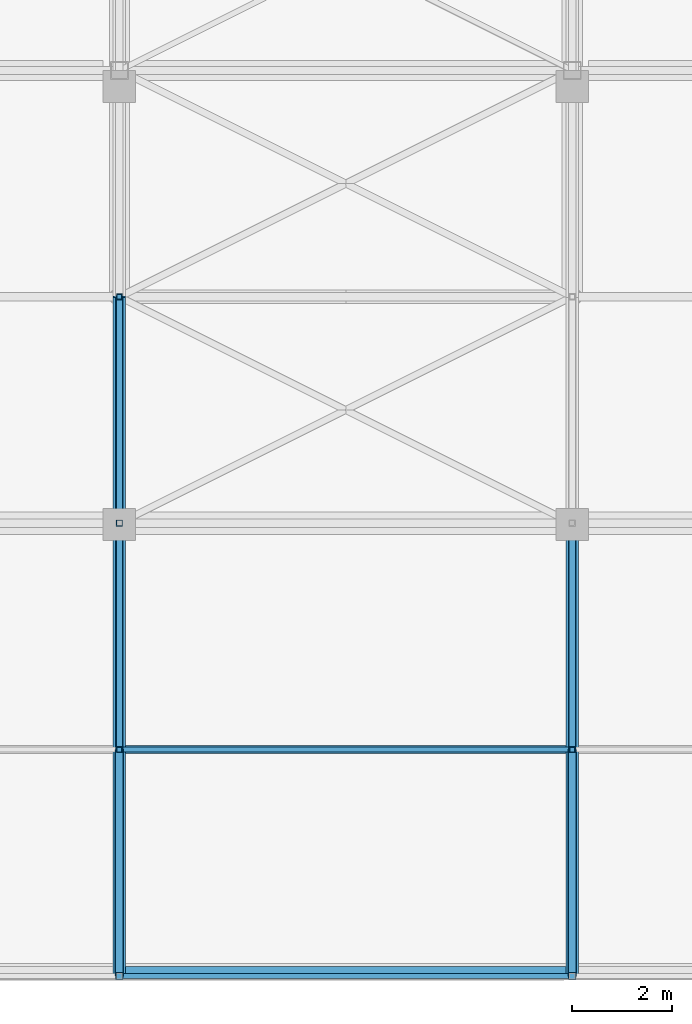
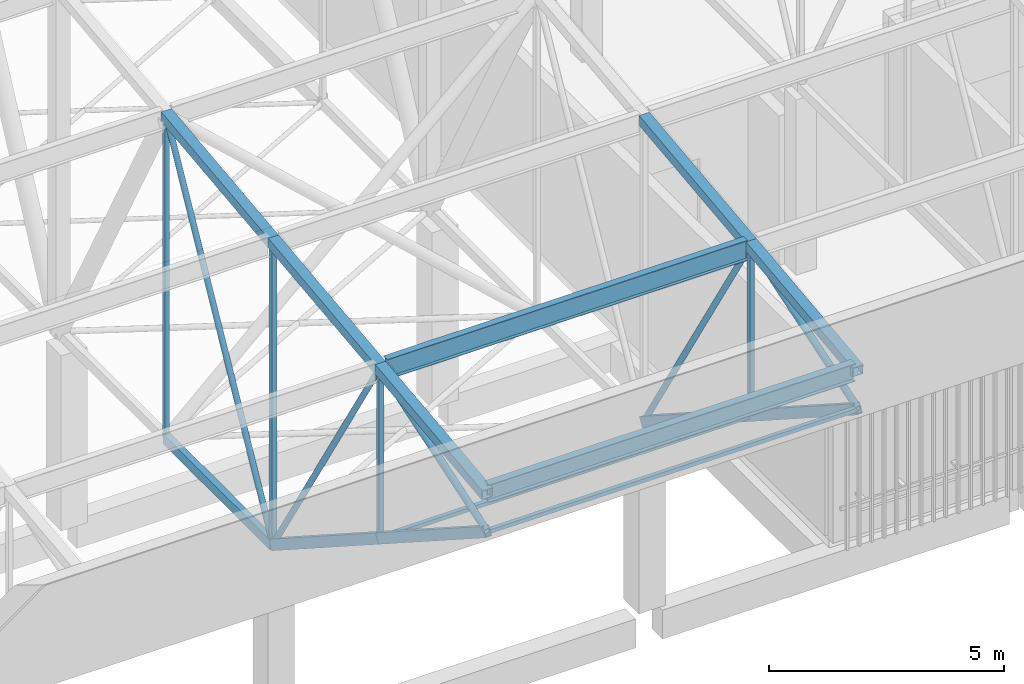
# One storey, part 110 of 500: 23 members.
"""IFC4 building model written with IfcOpenShell, lengths in metres."""

from ifc_helpers import new_model, si_unit, direction, frame, origin, origin_2d, place, context, subcontext, project, spatial, hollow_rectangle, hollow_circle, i_section, extrude, material, material_profile, profile_set, type_object, element, save


model = new_model("IFC4")

# Units and contexts
model_context = context("Model", 3, precision=1e-05, world=origin(), true_north=direction((0.0, 1.0)))
body_context = subcontext(model_context, "Body", "Model", "MODEL_VIEW")
ifc_project = project(units=[si_unit("LENGTHUNIT", "METRE"), si_unit("AREAUNIT", "SQUARE_METRE"), si_unit("VOLUMEUNIT", "CUBIC_METRE"), si_unit("PLANEANGLEUNIT", "RADIAN"), si_unit("MASSUNIT", "GRAM", prefix="KILO")], contexts=[model_context])

# Site, building, storey
site_placement = place(None, origin())
site = spatial("IfcSite", under=ifc_project, at=site_placement, CompositionType="ELEMENT")
building_placement = place(site_placement, origin())
building = spatial("IfcBuilding", under=site, at=building_placement, Name="Shirokan Park Arena", CompositionType="ELEMENT")
storey_placement = place(building_placement, frame((0.0, 0.0, 29.1201171875)))
storey = spatial("IfcBuildingStorey", under=building, at=storey_placement, Name="L06", CompositionType="ELEMENT", Elevation=29.1201171875)

# Members
ifc_material_1 = material(Name="Steel ASTM A500 Grade C", Category="steel")
ifc_material_profile_1 = material_profile(ifc_material_1, hollow_rectangle(XDim=0.152099609375, YDim=0.25390625, WallThickness=0.009521484375, at=origin_2d()), Name="HSS254X152.4X9.5")
ifc_profile_set_1 = profile_set([ifc_material_profile_1], Name="Steel ASTM A500 Grade C")
member_type_1 = type_object("IfcMemberType", Name="Bottom chord HSS254X152.4X9.5", PredefinedType="CHORD", material=ifc_profile_set_1)
for number, where, z_axis, x_axis, name in (
    (1, (91.0, -9.10009765625, 10.531982421875), (0.0, 0.840971691661, -0.541079119746), (-1.0, 0.0, 0.0), "Truss T11 bottom chord 1"),
    (2, (91.0, -4.550048828125, 7.6044921875), (0.0, 0.840971691661, -0.541079119746), (-1.0, 0.0, 0.0), "Truss T11 bottom chord 2"),
):
    element("IfcMember", number, at=place(storey_placement, frame(where, z_axis=z_axis, x_axis=x_axis)), inside=storey, type_object=member_type_1, Name=name, PredefinedType="CHORD", context=body_context, shape_type="SweptSolid", body=[
        extrude(hollow_rectangle(XDim=0.152099609375, YDim=0.25390625, WallThickness=0.009521484375, at=origin_2d()), origin(), (0.0, 0.0, 1.0), 5.410400390625),
    ])
member_1_placement = place(storey_placement, frame((91.0, 0.0, 4.677001953125), z_axis=(0.0, 1.0, 0.0), x_axis=(-1.0, 0.0, 0.0)))
element("IfcMember", 3, at=member_1_placement, inside=storey, type_object=member_type_1, Name="Truss T11 bottom chord 3", PredefinedType="CHORD", context=body_context, shape_type="SweptSolid", body=[
    extrude(hollow_rectangle(XDim=0.152099609375, YDim=0.25390625, WallThickness=0.009521484375, at=origin_2d()), origin(), (0.0, 0.0, 1.0), 4.550048828125),
])
for number, where, z_axis, x_axis, name in (
    (4, (100.10009765625, -9.10009765625, 10.531982421875), (0.0, 0.840971691661, -0.541079119746), (-1.0, 0.0, 0.0), "Truss T12 bottom chord 1"),
    (5, (100.10009765625, -4.550048828125, 7.6044921875), (0.0, 0.840971691661, -0.541079119746), (-1.0, 0.0, 0.0), "Truss T12 bottom chord 2"),
):
    element("IfcMember", number, at=place(storey_placement, frame(where, z_axis=z_axis, x_axis=x_axis)), inside=storey, type_object=member_type_1, Name=name, PredefinedType="CHORD", context=body_context, shape_type="SweptSolid", body=[
        extrude(hollow_rectangle(XDim=0.152099609375, YDim=0.25390625, WallThickness=0.009521484375, at=origin_2d()), origin(), (0.0, 0.0, 1.0), 5.410400390625),
    ])
ifc_material_profile_2 = material_profile(ifc_material_1, hollow_rectangle(XDim=0.10205078125, YDim=0.10205078125, WallThickness=0.00634765625, at=origin_2d()), Name="HSS101.6X101.6X6.4")
ifc_profile_set_2 = profile_set([ifc_material_profile_2], Name="Steel ASTM A500 Grade C")
member_type_2 = type_object("IfcMemberType", Name="Eave soffit rail HSS101.6X101.6X6.4", PredefinedType="USERDEFINED", material=ifc_profile_set_2)
for number, where, z_axis, x_axis, name in (
    (6, (91.056884765625, -9.10009765625, 10.531982421875), (1.0, 0.0, 0.0), (0.0, 1.0, 0.0), "Eave soffit rail S 1 bay 11"),
    (7, (91.056884765625, -4.550048828125, 7.6044921875), (1.0, 0.0, 0.0), (0.0, 1.0, 0.0), "Eave soffit rail S 2 bay 11"),
):
    element("IfcMember", number, at=place(storey_placement, frame(where, z_axis=z_axis, x_axis=x_axis)), inside=storey, type_object=member_type_2, Name=name, ObjectType="EAVE SOFFIT RAIL", PredefinedType="USERDEFINED", context=body_context, shape_type="SweptSolid", body=[
        extrude(hollow_rectangle(XDim=0.10205078125, YDim=0.10205078125, WallThickness=0.00634765625, at=origin_2d()), origin(), (0.0, 0.0, 1.0), 8.986083984375),
    ])
ifc_material_2 = material(Name="Steel ASTM A992", Category="steel")
ifc_material_profile_3 = material_profile(ifc_material_2, i_section(OverallWidth=0.166015625, OverallDepth=0.528076171875, WebThickness=0.009765625, FlangeThickness=0.013671875, at=origin_2d()), Name="W530X74")
ifc_profile_set_3 = profile_set([ifc_material_profile_3], Name="Steel ASTM A992")
member_type_3 = type_object("IfcMemberType", Name="Purlin W530X74", PredefinedType="PURLIN", material=ifc_profile_set_3)
member_2_placement = place(storey_placement, frame((91.126953125, -4.550048828125, 11.9658203125), z_axis=(1.0, 0.0, 0.0), x_axis=(0.0, 1.0, 0.0)))
element("IfcMember", 8, at=member_2_placement, inside=storey, type_object=member_type_3, Name="Purlin 2 bay 11", PredefinedType="PURLIN", context=body_context, shape_type="SweptSolid", body=[
    extrude(i_section(OverallWidth=0.166015625, OverallDepth=0.528076171875, WebThickness=0.009765625, FlangeThickness=0.013671875, at=origin_2d()), origin(), (0.0, 0.0, 1.0), 8.845947265625),
])
ifc_material_profile_4 = material_profile(ifc_material_2, i_section(OverallWidth=0.19091796875, OverallDepth=0.45703125, WebThickness=0.009033203125, FlangeThickness=0.014404296875, at=origin_2d()), Name="W460X74")
ifc_profile_set_4 = profile_set([ifc_material_profile_4], Name="Steel ASTM A992")
member_type_4 = type_object("IfcMemberType", Name="Roof edge beam W460X74", PredefinedType="USERDEFINED", material=ifc_profile_set_4)
member_3_placement = place(storey_placement, frame((91.056884765625, -9.00439453125, 11.4814453125), z_axis=(1.0, 0.0, 0.0), x_axis=(0.0, 1.0, 0.0)))
element("IfcMember", 9, at=member_3_placement, inside=storey, type_object=member_type_4, Name="Roof edge beam S 12", ObjectType="ROOF EDGE BEAM", PredefinedType="USERDEFINED", context=body_context, shape_type="SweptSolid", body=[
    extrude(i_section(OverallWidth=0.19091796875, OverallDepth=0.45703125, WebThickness=0.009033203125, FlangeThickness=0.014404296875, at=origin_2d()), origin(), (0.0, 0.0, 1.0), 8.986083984375),
])
ifc_material_profile_5 = material_profile(ifc_material_1, hollow_rectangle(XDim=0.25390625, YDim=0.25390625, WallThickness=0.009521484375, at=origin_2d()), Name="HSS254X254X9.5")
ifc_profile_set_5 = profile_set([ifc_material_profile_5], Name="Steel ASTM A500 Grade C")
member_type_5 = type_object("IfcMemberType", Name="Top chord HSS254X254X9.5", PredefinedType="CHORD", material=ifc_profile_set_5)
for number, where, z_axis, x_axis, name in (
    (10, (91.0, -9.10009765625, 11.50146484375), (0.0, 0.993532328996, 0.113549598152), (-1.0, 0.0, 0.0), "Truss T11 top chord 1"),
    (11, (91.0, -4.550048828125, 12.021484375), (0.0, 0.993532328996, 0.113549598152), (-1.0, 0.0, 0.0), "Truss T11 top chord 2"),
    (12, (91.0, 0.0, 12.54150390625), (0.0, 0.993538341779, 0.113496975353), (-1.0, 0.0, 0.0), "Truss T11 top chord 3"),
    (13, (100.10009765625, -9.10009765625, 11.50146484375), (0.0, 0.993532328996, 0.113549598152), (-1.0, 0.0, 0.0), "Truss T12 top chord 1"),
    (14, (100.10009765625, -4.550048828125, 12.021484375), (0.0, 0.993532328996, 0.113549598152), (-1.0, 0.0, 0.0), "Truss T12 top chord 2"),
):
    element("IfcMember", number, at=place(storey_placement, frame(where, z_axis=z_axis, x_axis=x_axis)), inside=storey, type_object=member_type_5, Name=name, PredefinedType="CHORD", context=body_context, shape_type="SweptSolid", body=[
        extrude(hollow_rectangle(XDim=0.25390625, YDim=0.25390625, WallThickness=0.009521484375, at=origin_2d()), origin(), (0.0, 0.0, 1.0), 4.57958984375),
    ])
ifc_material_profile_6 = material_profile(ifc_material_1, hollow_circle(Radius=0.070556640625, WallThickness=0.006591796875, at=origin_2d()), Name="HSS141.3X6.6")
ifc_profile_set_6 = profile_set([ifc_material_profile_6], Name="Steel ASTM A500 Grade C")
member_type_6 = type_object("IfcMemberType", Name="Truss diagonal HSS141.3X6.6", PredefinedType="BRACE", material=ifc_profile_set_6)
member_4_placement = place(storey_placement, frame((91.0, -4.550048828125, 12.021484375), z_axis=(0.0, 0.526644483383, -0.850085635758), x_axis=(-1.0, 0.0, 0.0)))
element("IfcMember", 15, at=member_4_placement, inside=storey, type_object=member_type_6, Name="Truss T11 diagonal 2", PredefinedType="BRACE", context=body_context, shape_type="SweptSolid", body=[
    extrude(hollow_circle(Radius=0.070556640625, WallThickness=0.006591796875, at=origin_2d()), origin(), (0.0, 0.0, 1.0), 8.6396484375),
])
member_5_placement = place(storey_placement, frame((91.0, 0.0, 4.677001953125), z_axis=(0.0, 0.476977206611, 0.878915663971), x_axis=(-1.0, 0.0, 0.0)))
element("IfcMember", 16, at=member_5_placement, inside=storey, type_object=member_type_6, Name="Truss T11 diagonal 3", PredefinedType="BRACE", context=body_context, shape_type="SweptSolid", body=[
    extrude(hollow_circle(Radius=0.070556640625, WallThickness=0.006591796875, at=origin_2d()), origin(), (0.0, 0.0, 1.0), 9.539306640625),
])
member_6_placement = place(storey_placement, frame((100.10009765625, -4.550048828125, 12.021484375), z_axis=(0.0, 0.526644483383, -0.850085635758), x_axis=(-1.0, 0.0, 0.0)))
element("IfcMember", 17, at=member_6_placement, inside=storey, type_object=member_type_6, Name="Truss T12 diagonal 2", PredefinedType="BRACE", context=body_context, shape_type="SweptSolid", body=[
    extrude(hollow_circle(Radius=0.070556640625, WallThickness=0.006591796875, at=origin_2d()), origin(), (0.0, 0.0, 1.0), 8.6396484375),
])
ifc_material_profile_7 = material_profile(ifc_material_1, hollow_circle(Radius=0.083984375, WallThickness=0.009521484375, at=origin_2d()), Name="HSS168.3X9.5")
ifc_profile_set_7 = profile_set([ifc_material_profile_7], Name="Steel ASTM A500 Grade C")
member_type_7 = type_object("IfcMemberType", Name="Truss diagonal HSS168.3X9.5", PredefinedType="BRACE", material=ifc_profile_set_7)
for number, where, z_axis, x_axis, name in (
    (18, (91.0, -9.10009765625, 10.531982421875), (0.0, 0.950372733116, 0.311113593644), (-1.0, 0.0, 0.0), "Truss T11 diagonal 1"),
    (19, (100.10009765625, -9.10009765625, 10.531982421875), (0.0, 0.950372733116, 0.311113593644), (-1.0, 0.0, 0.0), "Truss T12 diagonal 1"),
):
    element("IfcMember", number, at=place(storey_placement, frame(where, z_axis=z_axis, x_axis=x_axis)), inside=storey, type_object=member_type_7, Name=name, PredefinedType="BRACE", context=body_context, shape_type="SweptSolid", body=[
        extrude(hollow_circle(Radius=0.083984375, WallThickness=0.009521484375, at=origin_2d()), origin(), (0.0, 0.0, 1.0), 4.78759765625),
    ])
ifc_material_profile_8 = material_profile(ifc_material_1, hollow_rectangle(XDim=0.114013671875, YDim=0.114013671875, WallThickness=0.00634765625, at=origin_2d()), Name="HSS114.3X114.3X6.4")
ifc_profile_set_8 = profile_set([ifc_material_profile_8], Name="Steel ASTM A500 Grade C")
member_type_8 = type_object("IfcMemberType", Name="Truss post HSS114.3X114.3X6.4", PredefinedType="POST", material=ifc_profile_set_8)
member_7_placement = place(storey_placement, frame((91.0, -4.550048828125, 7.6044921875), z_axis=(0.0, 0.0, 1.0), x_axis=(1.0, 0.0, 0.0)))
element("IfcMember", 20, at=member_7_placement, inside=storey, type_object=member_type_8, Name="Truss T11 post 2", PredefinedType="POST", context=body_context, shape_type="SweptSolid", body=[
    extrude(hollow_rectangle(XDim=0.114013671875, YDim=0.114013671875, WallThickness=0.00634765625, at=origin_2d()), origin(), (0.0, 0.0, 1.0), 4.4169921875),
])
member_8_placement = place(storey_placement, frame((91.0, 4.550048828125, 4.677001953125), z_axis=(0.0, 0.0, 1.0), x_axis=(1.0, 0.0, 0.0)))
element("IfcMember", 21, at=member_8_placement, inside=storey, type_object=member_type_8, Name="Truss T11 post 4", PredefinedType="POST", context=body_context, shape_type="SweptSolid", body=[
    extrude(hollow_rectangle(XDim=0.114013671875, YDim=0.114013671875, WallThickness=0.00634765625, at=origin_2d()), origin(), (0.0, 0.0, 1.0), 8.38427734375),
])
member_9_placement = place(storey_placement, frame((100.10009765625, -4.550048828125, 7.6044921875), z_axis=(0.0, 0.0, 1.0), x_axis=(1.0, 0.0, 0.0)))
element("IfcMember", 22, at=member_9_placement, inside=storey, type_object=member_type_8, Name="Truss T12 post 2", PredefinedType="POST", context=body_context, shape_type="SweptSolid", body=[
    extrude(hollow_rectangle(XDim=0.114013671875, YDim=0.114013671875, WallThickness=0.00634765625, at=origin_2d()), origin(), (0.0, 0.0, 1.0), 4.4169921875),
])
ifc_material_profile_9 = material_profile(ifc_material_1, hollow_rectangle(XDim=0.126953125, YDim=0.126953125, WallThickness=0.0126953125, at=origin_2d()), Name="HSS127X127X12.7")
ifc_profile_set_9 = profile_set([ifc_material_profile_9], Name="Steel ASTM A500 Grade C")
member_type_9 = type_object("IfcMemberType", Name="Truss post HSS127X127X12.7", PredefinedType="POST", material=ifc_profile_set_9)
member_10_placement = place(storey_placement, frame((91.0, 0.0, 4.677001953125), z_axis=(0.0, 0.0, 1.0), x_axis=(1.0, 0.0, 0.0)))
element("IfcMember", 23, at=member_10_placement, inside=storey, type_object=member_type_9, Name="Truss T11 post 3", PredefinedType="POST", context=body_context, shape_type="SweptSolid", body=[
    extrude(hollow_rectangle(XDim=0.126953125, YDim=0.126953125, WallThickness=0.0126953125, at=origin_2d()), origin(), (0.0, 0.0, 1.0), 7.864501953125),
])

save(model, "model.ifc")
